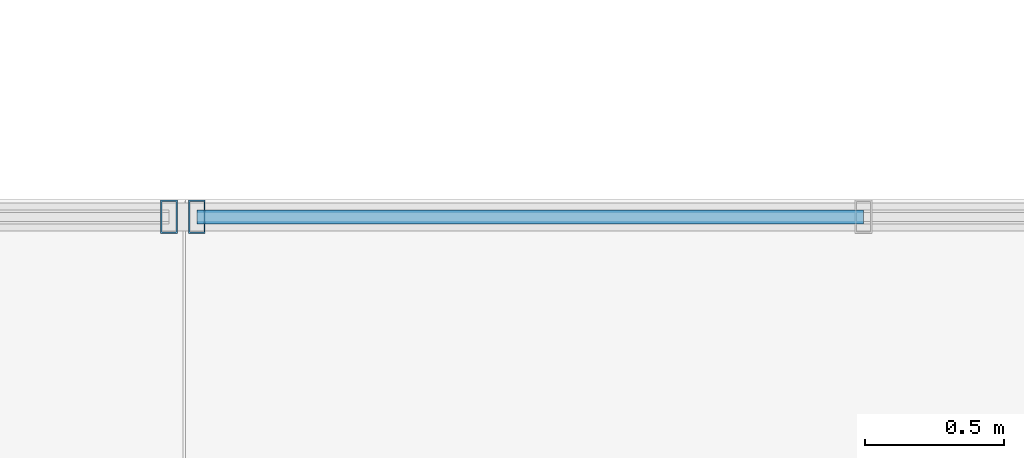
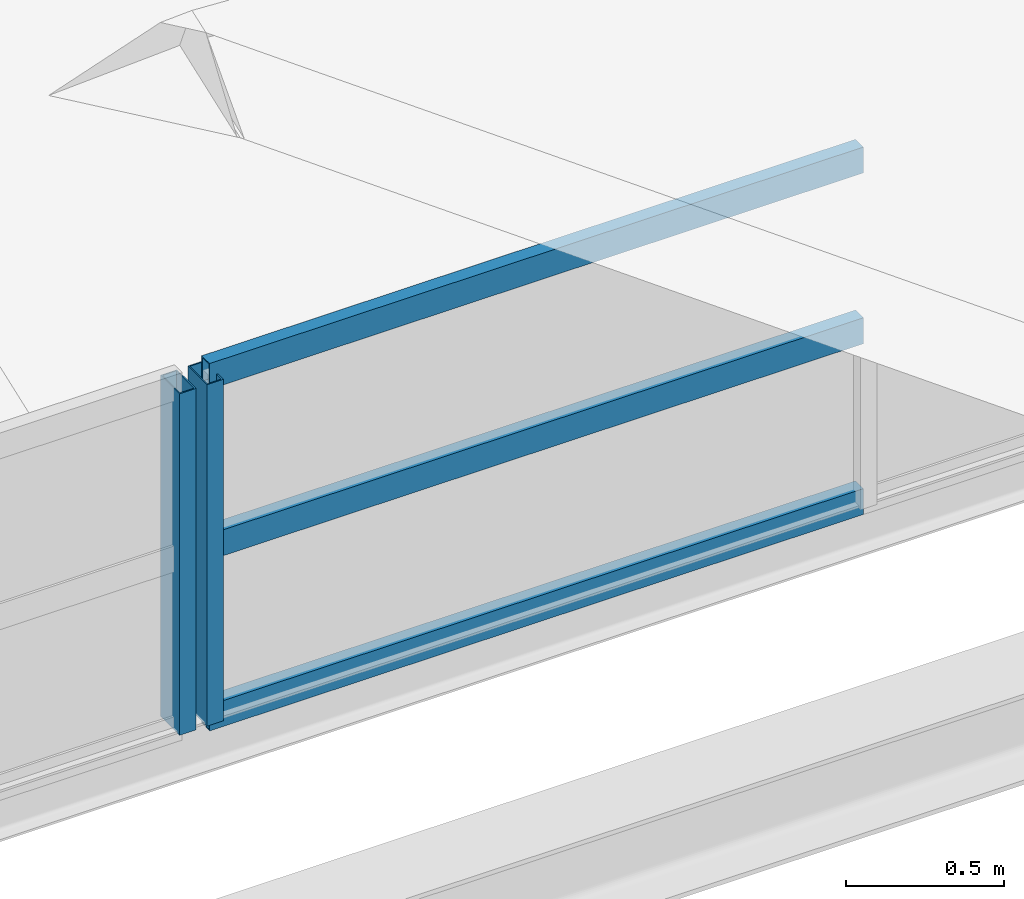
# One storey, part 24 of 141: 5 members, 2 elements without a shape of their own.
"""IFC4 building model written with IfcOpenShell, lengths in metres."""

from ifc_helpers import new_model, si_unit, direction, frame, origin, origin_2d, place, context, subcontext, project, spatial, hollow_rectangle, extrude, material, material_profile, profile_set, type_object, element, aggregate, save


model = new_model("IFC4")

# Units and contexts
model_context = context("Model", 3, precision=1e-05, world=origin(), true_north=direction((0.0, 1.0)))
body_context = subcontext(model_context, "Body", "Model", "MODEL_VIEW")
ifc_project = project(units=[si_unit("LENGTHUNIT", "METRE"), si_unit("AREAUNIT", "SQUARE_METRE"), si_unit("VOLUMEUNIT", "CUBIC_METRE"), si_unit("PLANEANGLEUNIT", "RADIAN"), si_unit("MASSUNIT", "GRAM", prefix="KILO")], contexts=[model_context])

# Site, building, storey
site_placement = place(None, origin())
site = spatial("IfcSite", under=ifc_project, at=site_placement, CompositionType="ELEMENT")
building_placement = place(site_placement, origin())
building = spatial("IfcBuilding", under=site, at=building_placement, Name="Sundkrona Museum", CompositionType="ELEMENT")
storey_placement = place(building_placement, frame((0.0, 0.0, 34.0)))
storey = spatial("IfcBuildingStorey", under=building, at=storey_placement, Name="RF", CompositionType="ELEMENT", Elevation=34.0)

# Curtain wall, member
ifc_material_1 = material(Name="Unitised Aluminium-Steel and Ceramic-Clad Curtain Walling", Category="steel")
curtain_wall_type = type_object("IfcCurtainWallType", Name="CW-SW-240x13", PredefinedType="NOTDEFINED", material=ifc_material_1)
curtain_wall_1_placement = place(storey_placement, origin())
curtain_wall_1 = element("IfcCurtainWall", 1, at=curtain_wall_1_placement, inside=storey, type_object=curtain_wall_type, Name="Sawtooth Bay 2 West North-Light Clerestory", PredefinedType="NOTDEFINED")
ifc_material_2 = material(Name="Aluminium EN AW-6060 T66", Category="aluminium")
ifc_material_profile_1 = material_profile(ifc_material_2, hollow_rectangle(XDim=0.06005859375, YDim=0.1201171875, WallThickness=0.0048828125, at=origin_2d()), Name="RHS 120x60x5.0")
ifc_profile_set_1 = profile_set([ifc_material_profile_1], Name="Aluminium EN AW-6060 T66")
member_type_1 = type_object("IfcMemberType", Name="ML-120", PredefinedType="MULLION", material=ifc_profile_set_1)
member_1_placement = place(storey_placement, frame((143.949951171875, 10.300048828125, 2.633056640625), z_axis=(0.0, 0.0, 1.0), x_axis=(1.0, 0.0, 0.0)))
member_1 = element("IfcMember", 2, at=member_1_placement, type_object=member_type_1, Name="CW-RF-SAW-02W Mullion 11", PredefinedType="MULLION", context=body_context, shape_type="SweptSolid", body=[
    extrude(hollow_rectangle(XDim=0.06005859375, YDim=0.1201171875, WallThickness=0.0048828125, at=origin_2d()), origin(), (0.0, 0.0, 1.0), 1.31982421875),
])
aggregate(curtain_wall_1, [member_1])

# Curtain wall, members
curtain_wall_2_placement = place(storey_placement, origin())
curtain_wall_2 = element("IfcCurtainWall", 3, at=curtain_wall_2_placement, inside=storey, type_object=curtain_wall_type, Name="Sawtooth Bay 2 East North-Light Clerestory", PredefinedType="NOTDEFINED")
member_2_placement = place(storey_placement, frame((144.050048828125, 10.300048828125, 2.633056640625), z_axis=(0.0, 0.0, 1.0), x_axis=(1.0, 0.0, 0.0)))
member_2 = element("IfcMember", 4, at=member_2_placement, type_object=member_type_1, Name="CW-RF-SAW-02E Mullion 01", PredefinedType="MULLION", context=body_context, shape_type="SweptSolid", body=[
    extrude(hollow_rectangle(XDim=0.06005859375, YDim=0.1201171875, WallThickness=0.0048828125, at=origin_2d()), origin(), (0.0, 0.0, 1.0), 1.31982421875),
])
ifc_material_profile_2 = material_profile(ifc_material_2, hollow_rectangle(XDim=0.050048828125, YDim=0.10009765625, WallThickness=0.0048828125, at=origin_2d()), Name="RHS 100x50x5.0")
ifc_profile_set_2 = profile_set([ifc_material_profile_2], Name="Aluminium EN AW-6060 T66")
member_type_2 = type_object("IfcMemberType", Name="TR-100", PredefinedType="USERDEFINED", material=ifc_profile_set_2)
member_3_placement = place(storey_placement, frame((144.050048828125, 10.300048828125, 2.633056640625), z_axis=(1.0, 0.0, 0.0), x_axis=(0.0, 1.0, 0.0)))
member_3 = element("IfcMember", 5, at=member_3_placement, type_object=member_type_2, Name="CW-RF-SAW-02E Transom 01", ObjectType="TRANSOM", PredefinedType="USERDEFINED", context=body_context, shape_type="SweptSolid", body=[
    extrude(hollow_rectangle(XDim=0.050048828125, YDim=0.10009765625, WallThickness=0.0048828125, at=origin_2d()), origin(), (0.0, 0.0, 1.0), 2.389892578125),
])
member_4_placement = place(storey_placement, frame((144.050048828125, 10.300048828125, 3.29296875), z_axis=(1.0, 0.0, 0.0), x_axis=(0.0, 1.0, 0.0)))
member_4 = element("IfcMember", 6, at=member_4_placement, type_object=member_type_2, Name="CW-RF-SAW-02E Transom 02", ObjectType="TRANSOM", PredefinedType="USERDEFINED", context=body_context, shape_type="SweptSolid", body=[
    extrude(hollow_rectangle(XDim=0.050048828125, YDim=0.10009765625, WallThickness=0.0048828125, at=origin_2d()), origin(), (0.0, 0.0, 1.0), 2.389892578125),
])
member_5_placement = place(storey_placement, frame((144.050048828125, 10.300048828125, 3.952880859375), z_axis=(1.0, 0.0, 0.0), x_axis=(0.0, 1.0, 0.0)))
member_5 = element("IfcMember", 7, at=member_5_placement, type_object=member_type_2, Name="CW-RF-SAW-02E Transom 03", ObjectType="TRANSOM", PredefinedType="USERDEFINED", context=body_context, shape_type="SweptSolid", body=[
    extrude(hollow_rectangle(XDim=0.050048828125, YDim=0.10009765625, WallThickness=0.0048828125, at=origin_2d()), origin(), (0.0, 0.0, 1.0), 2.389892578125),
])
aggregate(curtain_wall_2, [member_2, member_3, member_4, member_5])

save(model, "model.ifc")
